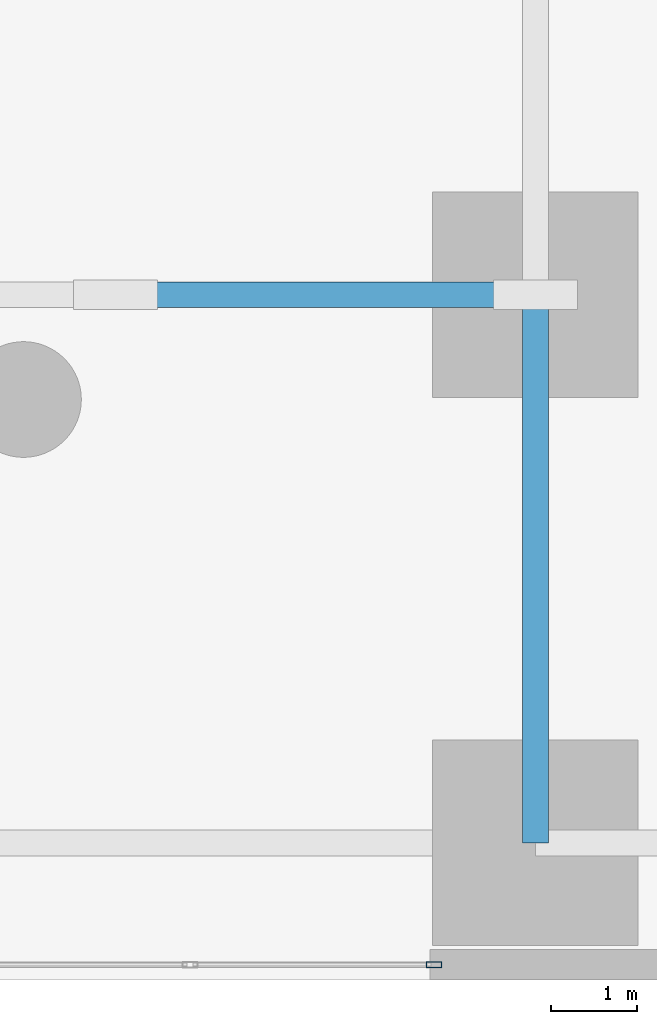
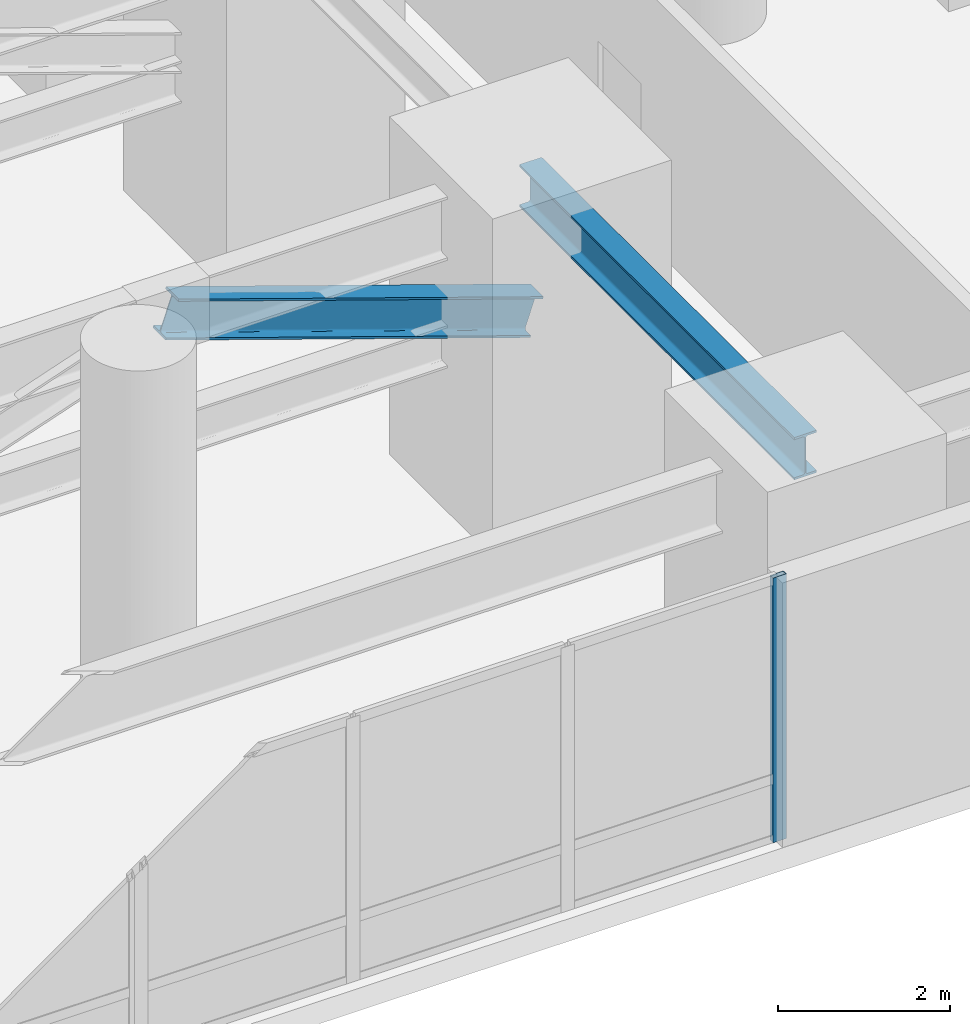
# One storey, part 8 of 17: 2 members, 1 beam, 1 element without a shape of its own.
"""IFC4 building model written with IfcOpenShell, lengths in metres."""

import ifcopenshell
import ifcopenshell.guid

model = None  # the IFC model being written
_history = None  # IfcOwnerHistory: only IFC2X3 demands one
_inside = {}  # id of a spatial element -> (the spatial element, [elements in it])
_under = {}  # id of a project, library or spatial element -> (it, [spatial elements below it])
_declared = {}  # id of a project -> (the project, [libraries it declares])
_typed = {}  # id of a type object -> (the type object, [elements of that type])
_made_of = {}  # id of a material, layer set ... -> (it, [elements and type objects made of it])


def new_model(schema):
    """Start an empty IFC model of exactly this schema.

    Asked for "IFC4X3", IfcOpenShell would pick the latest addendum, in which some entities
    have other attributes; the version numbers below select the first issue.
    IFC2X3 requires an IfcOwnerHistory on every rooted entity: one is made here for all.
    """
    global model, _history
    if schema == "IFC4X3":
        model = ifcopenshell.file(schema_version=(4, 3, 0, 0))
    else:
        model = ifcopenshell.file(schema=schema)
    _inside.clear()
    _under.clear()
    _declared.clear()
    _typed.clear()
    _made_of.clear()
    _history = None
    if model.schema == "IFC2X3":
        org = make("IfcOrganization", Name="unknown")
        user = make(
            "IfcPersonAndOrganization",
            ThePerson=make("IfcPerson", FamilyName="unknown"),
            TheOrganization=org,
        )
        app = make(
            "IfcApplication",
            ApplicationDeveloper=org,
            Version="unknown",
            ApplicationFullName="unknown",
            ApplicationIdentifier="unknown",
        )
        _history = make(
            "IfcOwnerHistory",
            OwningUser=user,
            OwningApplication=app,
            ChangeAction="ADDED",
            CreationDate=0,
        )
    return model


def make(cls, **values):
    """One entity of the class cls with the attributes given. An attribute that is None is left unset."""
    return model.create_entity(
        cls, **{name: value for name, value in values.items() if value is not None}
    )


def rooted(cls, **values):
    """An entity with a GlobalId (a new one), such as an element, a storey or a relation."""
    return make(cls, GlobalId=ifcopenshell.guid.new(), OwnerHistory=_history, **values)


def si_unit(unit_type, name, prefix=None):
    """IfcSIUnit, for example si_unit("LENGTHUNIT", "METRE", prefix="MILLI")."""
    return make("IfcSIUnit", UnitType=unit_type, Prefix=prefix, Name=name)


def assignment(units):
    """IfcUnitAssignment: the units of a project."""
    return None if units is None else make("IfcUnitAssignment", Units=units)


def point(xyz):
    """IfcCartesianPoint."""
    return None if xyz is None else make("IfcCartesianPoint", Coordinates=xyz)


def direction(xyz):
    """IfcDirection."""
    return None if xyz is None else make("IfcDirection", DirectionRatios=xyz)


def frame(location, z_axis=None, x_axis=None):
    """IfcAxis2Placement3D, a coordinate frame: its origin and axes. An axis left out is left unset."""
    return make(
        "IfcAxis2Placement3D",
        Location=point(location),
        Axis=direction(z_axis),
        RefDirection=direction(x_axis),
    )


def frame_2d(location, x_axis=None):
    """IfcAxis2Placement2D, a coordinate frame in the plane: its origin and x axis."""
    return make(
        "IfcAxis2Placement2D", Location=point(location), RefDirection=direction(x_axis)
    )


def origin():
    """The frame at (0, 0, 0) with its axes left unset."""
    return frame((0.0, 0.0, 0.0))


def origin_2d():
    """The frame at (0, 0) in the plane with its x axis left unset."""
    return frame_2d((0.0, 0.0))


def place(relative_to, where):
    """IfcLocalPlacement: puts the frame where relative to a parent placement (None: the world)."""
    return make(
        "IfcLocalPlacement", PlacementRelTo=relative_to, RelativePlacement=where
    )


def context(
    kind, dimensions, precision=None, world=None, true_north=None, identifier=None
):
    """IfcGeometricRepresentationContext, for example the 3D "Model" context."""
    return make(
        "IfcGeometricRepresentationContext",
        ContextIdentifier=identifier,
        ContextType=kind,
        CoordinateSpaceDimension=dimensions,
        Precision=precision,
        WorldCoordinateSystem=world,
        TrueNorth=true_north,
    )


def subcontext(parent, identifier, kind, view, scale=None):
    """IfcGeometricRepresentationSubContext, for example "Body" below "Model"."""
    return make(
        "IfcGeometricRepresentationSubContext",
        ContextIdentifier=identifier,
        ContextType=kind,
        ParentContext=parent,
        TargetScale=scale,
        TargetView=view,
    )


def project(units=None, contexts=None):
    """IfcProject with its units and contexts."""
    return rooted(
        "IfcProject",
        Name="project",
        RepresentationContexts=contexts,
        UnitsInContext=assignment(units),
    )


def spatial(cls, under=None, at=None, **own):
    """A site, building, storey or space (cls), placed at a placement, below another one or the project."""
    s = rooted(cls, ObjectPlacement=at, **own)
    if under is not None:
        _under.setdefault(under.id(), (under, []))[1].append(s)
    return s


def profile(cls, at=None, kind="AREA", **sizes):
    """A parametric profile (cls). Its sizes go by their IFC names, for example OverallWidth=200.0."""
    return make(cls, ProfileType=kind, Position=at, **sizes)


def hollow_rectangle(**sizes):
    """IfcRectangleHollowProfileDef."""
    return profile("IfcRectangleHollowProfileDef", **sizes)


def i_section(**sizes):
    """IfcIShapeProfileDef."""
    return profile("IfcIShapeProfileDef", **sizes)


def extrude(swept, where, along, depth):
    """IfcExtrudedAreaSolid: the profile swept, set in the frame where, extruded along a direction by depth."""
    return make(
        "IfcExtrudedAreaSolid",
        SweptArea=swept,
        Position=where,
        ExtrudedDirection=direction(along),
        Depth=depth,
    )


def shape(context_of_items, identifier, shape_type, items):
    """IfcShapeRepresentation: the items that make up one representation, for example the "Body"."""
    return make(
        "IfcShapeRepresentation",
        ContextOfItems=context_of_items,
        RepresentationIdentifier=identifier,
        RepresentationType=shape_type,
        Items=items,
    )


def material(Name=None, Category=None):
    """IfcMaterial."""
    return make("IfcMaterial", Name=Name, Category=Category)


def layer(
    of_material, thickness, ventilated=None, Name=None, Category=None, Priority=None
):
    """IfcMaterialLayer: one layer of a wall or slab, of a material (None: an air gap)."""
    return make(
        "IfcMaterialLayer",
        Material=of_material,
        LayerThickness=thickness,
        IsVentilated=ventilated,
        Name=Name,
        Category=Category,
        Priority=Priority,
    )


def layer_set(layers, Name=None):
    """IfcMaterialLayerSet."""
    return make("IfcMaterialLayerSet", MaterialLayers=layers, LayerSetName=Name)


def material_profile(
    of_material, cross_section, Name=None, Category=None, Priority=None
):
    """IfcMaterialProfile: a cross section and its material."""
    return make(
        "IfcMaterialProfile",
        Name=Name,
        Material=of_material,
        Profile=cross_section,
        Priority=Priority,
        Category=Category,
    )


def profile_set(profiles, Name=None, composite=None):
    """IfcMaterialProfileSet."""
    return make(
        "IfcMaterialProfileSet",
        Name=Name,
        MaterialProfiles=profiles,
        CompositeProfile=composite,
    )


def made_of(thing, what):
    """Note that an element or type object is made of a material, layer set ...; save() writes the relation."""
    if what is not None:
        _made_of.setdefault(what.id(), (what, []))[1].append(thing)
    return thing


def type_object(cls, material=None, **own):
    """A type object (cls), such as IfcWallType, which elements share."""
    return made_of(rooted(cls, **own), material)


def element(
    cls,
    number,
    at=None,
    inside=None,
    cuts=None,
    type_object=None,
    material=None,
    context=None,
    identifier="Body",
    shape_type=None,
    held_by="IfcProductDefinitionShape",
    body=None,
    shapes=None,
    **own,
):
    """One element of the class cls, such as IfcWall. Its Tag is "e" and its number.

    at: its placement. inside: the storey or other place that contains it. cuts: it is an
    opening in that element (IfcRelVoidsElement). A single representation is given by context,
    identifier, shape_type and body (its items); several are given by shapes. held_by: the class
    of the entity that holds the representations. save() writes the other relations.
    """
    e = rooted(cls, Tag="e%d" % number, ObjectPlacement=at, **own)
    if body is not None:
        shapes = [shape(context, identifier, shape_type, body)]
    if shapes is not None:
        e.Representation = make(held_by, Representations=shapes)
    if inside is not None:
        _inside.setdefault(inside.id(), (inside, []))[1].append(e)
    if cuts is not None:
        rooted(
            "IfcRelVoidsElement", RelatingBuildingElement=cuts, RelatedOpeningElement=e
        )
    if type_object is not None:
        _typed.setdefault(type_object.id(), (type_object, []))[1].append(e)
    return made_of(e, material)


def aggregate(whole, parts):
    """IfcRelAggregates: a whole, such as a stair, and the parts it consists of."""
    return rooted("IfcRelAggregates", RelatingObject=whole, RelatedObjects=parts)


def save(model, path):
    """Write the relations noted so far, then the file.

    IfcRelAggregates (storeys below a building ...), IfcRelContainedInSpatialStructure (elements
    in a storey), IfcRelDefinesByType, IfcRelAssociatesMaterial and IfcRelDeclares: one each for
    every whole, place, type object, material and project.
    """
    for whole, parts in _under.values():
        aggregate(whole, parts)
    for where, things in _inside.values():
        rooted(
            "IfcRelContainedInSpatialStructure",
            RelatedElements=things,
            RelatingStructure=where,
        )
    for kind, things in _typed.values():
        rooted("IfcRelDefinesByType", RelatedObjects=things, RelatingType=kind)
    for what, things in _made_of.values():
        rooted("IfcRelAssociatesMaterial", RelatedObjects=things, RelatingMaterial=what)
    for by, libraries in _declared.values():
        rooted("IfcRelDeclares", RelatingContext=by, RelatedDefinitions=libraries)
    model.write(path)


model = new_model("IFC4")

# Units and contexts
model_context = context("Model", 3, precision=1e-05, world=origin(), true_north=direction((0.0, 1.0)))
body_context = subcontext(model_context, "Body", "Model", "MODEL_VIEW")
ifc_project = project(units=[si_unit("LENGTHUNIT", "METRE"), si_unit("AREAUNIT", "SQUARE_METRE"), si_unit("VOLUMEUNIT", "CUBIC_METRE"), si_unit("PLANEANGLEUNIT", "RADIAN"), si_unit("MASSUNIT", "GRAM", prefix="KILO"), si_unit("THERMODYNAMICTEMPERATUREUNIT", "KELVIN"), si_unit("POWERUNIT", "WATT")], contexts=[model_context])

# Site, building, storey
site_placement = place(None, origin())
site = spatial("IfcSite", under=ifc_project, at=site_placement, CompositionType="ELEMENT")
building_placement = place(site_placement, origin())
building = spatial("IfcBuilding", under=site, at=building_placement, Name="Ocrelia Relay Tower", CompositionType="ELEMENT")
storey_placement = place(building_placement, frame((0.0, 0.0, 20.39990234375)))
storey = spatial("IfcBuildingStorey", under=building, at=storey_placement, Name="L04", CompositionType="ELEMENT", Elevation=20.39990234375)

# Beam
ifc_material_1 = material(Name="Steel S355", Category="steel")
ifc_material_profile_1 = material_profile(ifc_material_1, i_section(OverallWidth=0.300048828125, OverallDepth=0.60009765625, WebThickness=0.015380859375, FlangeThickness=0.030029296875, FilletRadius=0.027099609375, at=origin_2d()), Name="HEB 600")
ifc_profile_set_1 = profile_set([ifc_material_profile_1], Name="Steel S355")
beam_type = type_object("IfcBeamType", Name="BM-HEB600", PredefinedType="BEAM", material=ifc_profile_set_1)
beam_placement = place(storey_placement, frame((43.800048828125, 1.60009765625, 4.18017578125), z_axis=(0.0, 1.0, 0.0), x_axis=(-1.0, 0.0, 0.0)))
element("IfcBeam", 1, at=beam_placement, inside=storey, type_object=beam_type, Name="L04 Pier Line Tie Girder AE-1", PredefinedType="BEAM", context=body_context, shape_type="SweptSolid", body=[
    extrude(i_section(OverallWidth=0.300048828125, OverallDepth=0.60009765625, WebThickness=0.015380859375, FlangeThickness=0.030029296875, FilletRadius=0.027099609375, at=origin_2d()), origin(), (0.0, 0.0, 1.0), 6.39990234375),
])

# Curtain wall, member
ifc_material_2 = material(Name="Aluminium and solar-control low-E glass", Category="aluminium")
ifc_layer = layer(ifc_material_2, 0.179931640625, Name="Aluminium and solar-control low-E glass")
ifc_layer_set = layer_set([ifc_layer], Name="Aluminium and solar-control low-E glass")
curtain_wall_type = type_object("IfcCurtainWallType", Name="CW-SYS-POD-GALL", PredefinedType="NOTDEFINED", material=ifc_layer_set)
curtain_wall_placement = place(storey_placement, origin())
curtain_wall = element("IfcCurtainWall", 2, at=curtain_wall_placement, inside=storey, type_object=curtain_wall_type, Name="L04 South Over-Arch Curtain Wall East", PredefinedType="NOTDEFINED")
ifc_material_3 = material(Name="Anodised bronze aluminium", Category="aluminium")
ifc_material_profile_2 = material_profile(ifc_material_3, hollow_rectangle(XDim=0.070068359375, YDim=0.179931640625, WallThickness=0.006103515625, at=origin_2d()), Name="CW-MUL-180x70")
ifc_profile_set_2 = profile_set([ifc_material_profile_2], Name="Anodised bronze aluminium")
member_type_1 = type_object("IfcMemberType", Name="CW-SYS-POD-GALL-MUL", PredefinedType="MULLION", material=ifc_profile_set_2)
member_1_placement = place(storey_placement, frame((42.614990234375, 0.179931640625, 0.0), z_axis=(0.0, 0.0, 1.0), x_axis=(0.0, 1.0, 0.0)))
member_1 = element("IfcMember", 3, at=member_1_placement, type_object=member_type_1, Name="CW-PG mullion 4", PredefinedType="MULLION", context=body_context, shape_type="SweptSolid", body=[
    extrude(hollow_rectangle(XDim=0.070068359375, YDim=0.179931640625, WallThickness=0.006103515625, at=origin_2d()), origin(), (0.0, 0.0, 1.0), 3.760009765625),
])
aggregate(curtain_wall, [member_1])

# Member
ifc_material_profile_3 = material_profile(ifc_material_1, i_section(OverallWidth=0.300048828125, OverallDepth=0.550048828125, WebThickness=0.014892578125, FlangeThickness=0.029052734375, FilletRadius=0.027099609375, at=origin_2d()), Name="HEB 550")
ifc_profile_set_3 = profile_set([ifc_material_profile_3], Name="Steel S355")
member_type_2 = type_object("IfcMemberType", Name="MB-ARCH-DIAG", PredefinedType="BRACE", material=ifc_profile_set_3)
member_2_placement = place(storey_placement, frame((38.89990234375, 8.0, 4.030029296875), z_axis=(0.945952968798, 0.0, -0.324303840282), x_axis=(0.0, 1.0, 0.0)))
element("IfcMember", 4, at=member_2_placement, inside=storey, type_object=member_type_2, Name="L04 Warren Transfer Truss Diagonal S-4", PredefinedType="BRACE", context=body_context, shape_type="SweptSolid", body=[
    extrude(i_section(OverallWidth=0.300048828125, OverallDepth=0.550048828125, WebThickness=0.014892578125, FlangeThickness=0.029052734375, FilletRadius=0.027099609375, at=origin_2d()), origin(), (0.0, 0.0, 1.0), 5.18017578125),
])

save(model, "model.ifc")
